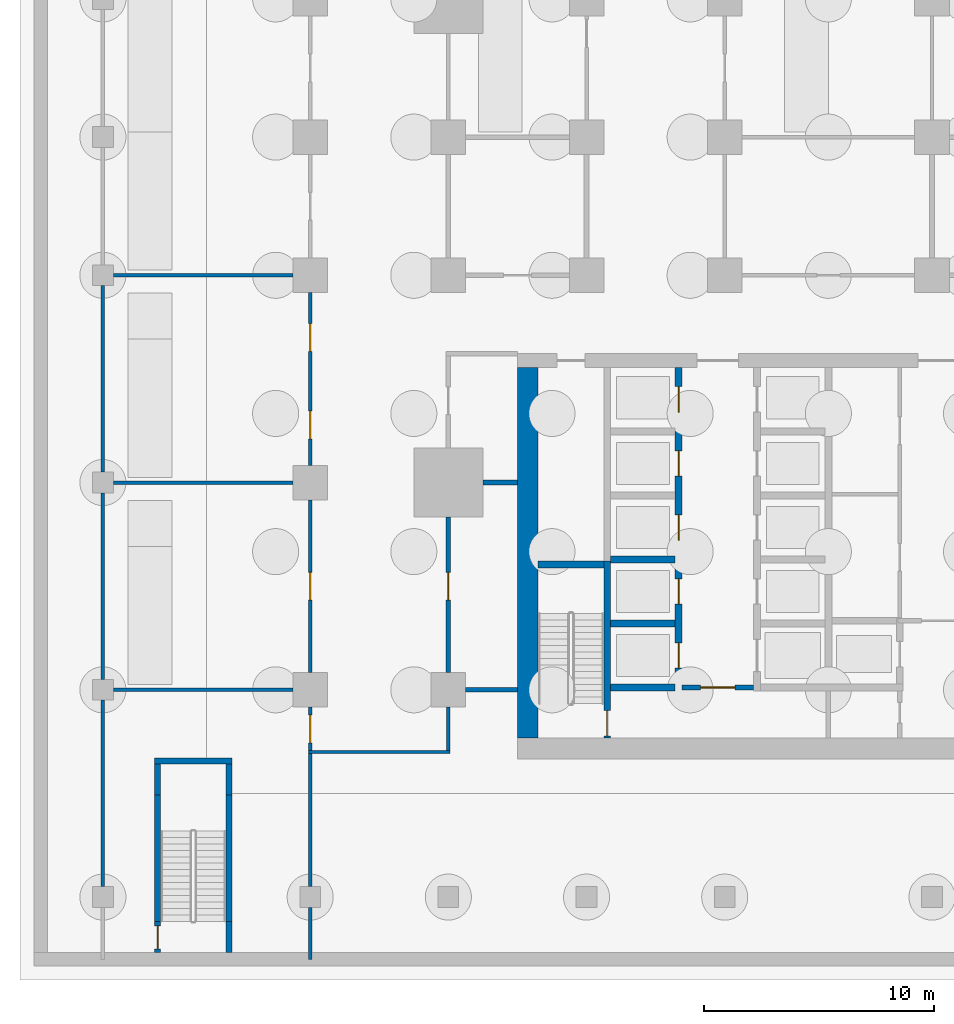
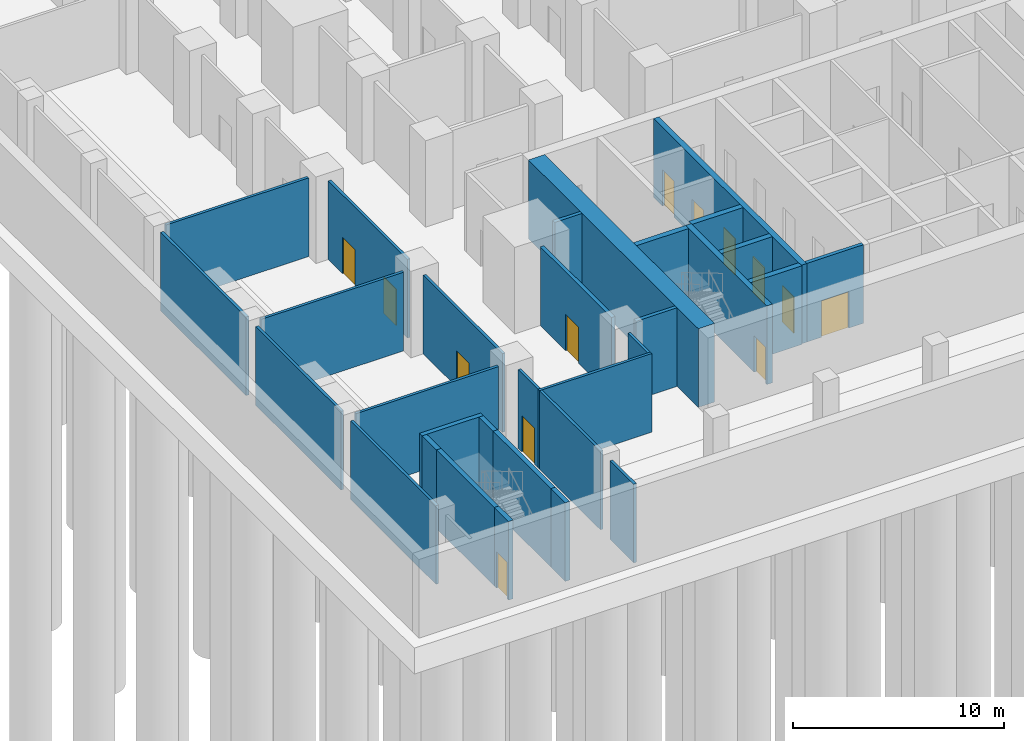
# One storey, part 3 of 12: 31 walls, 13 doors, 13 openings.
"""IFC4 building model written with IfcOpenShell, lengths in metres."""

import ifcopenshell
import ifcopenshell.guid

model = None  # the IFC model being written
_history = None  # IfcOwnerHistory: only IFC2X3 demands one
_inside = {}  # id of a spatial element -> (the spatial element, [elements in it])
_under = {}  # id of a project, library or spatial element -> (it, [spatial elements below it])
_declared = {}  # id of a project -> (the project, [libraries it declares])
_typed = {}  # id of a type object -> (the type object, [elements of that type])
_made_of = {}  # id of a material, layer set ... -> (it, [elements and type objects made of it])


def new_model(schema):
    """Start an empty IFC model of exactly this schema.

    Asked for "IFC4X3", IfcOpenShell would pick the latest addendum, in which some entities
    have other attributes; the version numbers below select the first issue.
    IFC2X3 requires an IfcOwnerHistory on every rooted entity: one is made here for all.
    """
    global model, _history
    if schema == "IFC4X3":
        model = ifcopenshell.file(schema_version=(4, 3, 0, 0))
    else:
        model = ifcopenshell.file(schema=schema)
    _inside.clear()
    _under.clear()
    _declared.clear()
    _typed.clear()
    _made_of.clear()
    _history = None
    if model.schema == "IFC2X3":
        org = make("IfcOrganization", Name="unknown")
        user = make(
            "IfcPersonAndOrganization",
            ThePerson=make("IfcPerson", FamilyName="unknown"),
            TheOrganization=org,
        )
        app = make(
            "IfcApplication",
            ApplicationDeveloper=org,
            Version="unknown",
            ApplicationFullName="unknown",
            ApplicationIdentifier="unknown",
        )
        _history = make(
            "IfcOwnerHistory",
            OwningUser=user,
            OwningApplication=app,
            ChangeAction="ADDED",
            CreationDate=0,
        )
    return model


def make(cls, **values):
    """One entity of the class cls with the attributes given. An attribute that is None is left unset."""
    return model.create_entity(
        cls, **{name: value for name, value in values.items() if value is not None}
    )


def rooted(cls, **values):
    """An entity with a GlobalId (a new one), such as an element, a storey or a relation."""
    return make(cls, GlobalId=ifcopenshell.guid.new(), OwnerHistory=_history, **values)


def si_unit(unit_type, name, prefix=None):
    """IfcSIUnit, for example si_unit("LENGTHUNIT", "METRE", prefix="MILLI")."""
    return make("IfcSIUnit", UnitType=unit_type, Prefix=prefix, Name=name)


def assignment(units):
    """IfcUnitAssignment: the units of a project."""
    return None if units is None else make("IfcUnitAssignment", Units=units)


def point(xyz):
    """IfcCartesianPoint."""
    return None if xyz is None else make("IfcCartesianPoint", Coordinates=xyz)


def direction(xyz):
    """IfcDirection."""
    return None if xyz is None else make("IfcDirection", DirectionRatios=xyz)


def frame(location, z_axis=None, x_axis=None):
    """IfcAxis2Placement3D, a coordinate frame: its origin and axes. An axis left out is left unset."""
    return make(
        "IfcAxis2Placement3D",
        Location=point(location),
        Axis=direction(z_axis),
        RefDirection=direction(x_axis),
    )


def frame_2d(location, x_axis=None):
    """IfcAxis2Placement2D, a coordinate frame in the plane: its origin and x axis."""
    return make(
        "IfcAxis2Placement2D", Location=point(location), RefDirection=direction(x_axis)
    )


def origin():
    """The frame at (0, 0, 0) with its axes left unset."""
    return frame((0.0, 0.0, 0.0))


def place(relative_to, where):
    """IfcLocalPlacement: puts the frame where relative to a parent placement (None: the world)."""
    return make(
        "IfcLocalPlacement", PlacementRelTo=relative_to, RelativePlacement=where
    )


def context(
    kind, dimensions, precision=None, world=None, true_north=None, identifier=None
):
    """IfcGeometricRepresentationContext, for example the 3D "Model" context."""
    return make(
        "IfcGeometricRepresentationContext",
        ContextIdentifier=identifier,
        ContextType=kind,
        CoordinateSpaceDimension=dimensions,
        Precision=precision,
        WorldCoordinateSystem=world,
        TrueNorth=true_north,
    )


def subcontext(parent, identifier, kind, view, scale=None):
    """IfcGeometricRepresentationSubContext, for example "Body" below "Model"."""
    return make(
        "IfcGeometricRepresentationSubContext",
        ContextIdentifier=identifier,
        ContextType=kind,
        ParentContext=parent,
        TargetScale=scale,
        TargetView=view,
    )


def project(units=None, contexts=None):
    """IfcProject with its units and contexts."""
    return rooted(
        "IfcProject",
        Name="project",
        RepresentationContexts=contexts,
        UnitsInContext=assignment(units),
    )


def spatial(cls, under=None, at=None, **own):
    """A site, building, storey or space (cls), placed at a placement, below another one or the project."""
    s = rooted(cls, ObjectPlacement=at, **own)
    if under is not None:
        _under.setdefault(under.id(), (under, []))[1].append(s)
    return s


def profile(cls, at=None, kind="AREA", **sizes):
    """A parametric profile (cls). Its sizes go by their IFC names, for example OverallWidth=200.0."""
    return make(cls, ProfileType=kind, Position=at, **sizes)


def rectangle(**sizes):
    """IfcRectangleProfileDef."""
    return profile("IfcRectangleProfileDef", **sizes)


def extrude(swept, where, along, depth):
    """IfcExtrudedAreaSolid: the profile swept, set in the frame where, extruded along a direction by depth."""
    return make(
        "IfcExtrudedAreaSolid",
        SweptArea=swept,
        Position=where,
        ExtrudedDirection=direction(along),
        Depth=depth,
    )


def shape(context_of_items, identifier, shape_type, items):
    """IfcShapeRepresentation: the items that make up one representation, for example the "Body"."""
    return make(
        "IfcShapeRepresentation",
        ContextOfItems=context_of_items,
        RepresentationIdentifier=identifier,
        RepresentationType=shape_type,
        Items=items,
    )


def material(Name=None, Category=None):
    """IfcMaterial."""
    return make("IfcMaterial", Name=Name, Category=Category)


def layer(
    of_material, thickness, ventilated=None, Name=None, Category=None, Priority=None
):
    """IfcMaterialLayer: one layer of a wall or slab, of a material (None: an air gap)."""
    return make(
        "IfcMaterialLayer",
        Material=of_material,
        LayerThickness=thickness,
        IsVentilated=ventilated,
        Name=Name,
        Category=Category,
        Priority=Priority,
    )


def layer_set(layers, Name=None):
    """IfcMaterialLayerSet."""
    return make("IfcMaterialLayerSet", MaterialLayers=layers, LayerSetName=Name)


def made_of(thing, what):
    """Note that an element or type object is made of a material, layer set ...; save() writes the relation."""
    if what is not None:
        _made_of.setdefault(what.id(), (what, []))[1].append(thing)
    return thing


def type_object(cls, material=None, **own):
    """A type object (cls), such as IfcWallType, which elements share."""
    return made_of(rooted(cls, **own), material)


def element(
    cls,
    number,
    at=None,
    inside=None,
    cuts=None,
    type_object=None,
    material=None,
    context=None,
    identifier="Body",
    shape_type=None,
    held_by="IfcProductDefinitionShape",
    body=None,
    shapes=None,
    **own,
):
    """One element of the class cls, such as IfcWall. Its Tag is "e" and its number.

    at: its placement. inside: the storey or other place that contains it. cuts: it is an
    opening in that element (IfcRelVoidsElement). A single representation is given by context,
    identifier, shape_type and body (its items); several are given by shapes. held_by: the class
    of the entity that holds the representations. save() writes the other relations.
    """
    e = rooted(cls, Tag="e%d" % number, ObjectPlacement=at, **own)
    if body is not None:
        shapes = [shape(context, identifier, shape_type, body)]
    if shapes is not None:
        e.Representation = make(held_by, Representations=shapes)
    if inside is not None:
        _inside.setdefault(inside.id(), (inside, []))[1].append(e)
    if cuts is not None:
        rooted(
            "IfcRelVoidsElement", RelatingBuildingElement=cuts, RelatedOpeningElement=e
        )
    if type_object is not None:
        _typed.setdefault(type_object.id(), (type_object, []))[1].append(e)
    return made_of(e, material)


def fill(opening, filler):
    """IfcRelFillsElement: the door or window that sits in an opening."""
    return rooted(
        "IfcRelFillsElement",
        RelatingOpeningElement=opening,
        RelatedBuildingElement=filler,
    )


def aggregate(whole, parts):
    """IfcRelAggregates: a whole, such as a stair, and the parts it consists of."""
    return rooted("IfcRelAggregates", RelatingObject=whole, RelatedObjects=parts)


def save(model, path):
    """Write the relations noted so far, then the file.

    IfcRelAggregates (storeys below a building ...), IfcRelContainedInSpatialStructure (elements
    in a storey), IfcRelDefinesByType, IfcRelAssociatesMaterial and IfcRelDeclares: one each for
    every whole, place, type object, material and project.
    """
    for whole, parts in _under.values():
        aggregate(whole, parts)
    for where, things in _inside.values():
        rooted(
            "IfcRelContainedInSpatialStructure",
            RelatedElements=things,
            RelatingStructure=where,
        )
    for kind, things in _typed.values():
        rooted("IfcRelDefinesByType", RelatedObjects=things, RelatingType=kind)
    for what, things in _made_of.values():
        rooted("IfcRelAssociatesMaterial", RelatedObjects=things, RelatingMaterial=what)
    for by, libraries in _declared.values():
        rooted("IfcRelDeclares", RelatingContext=by, RelatedDefinitions=libraries)
    model.write(path)


model = new_model("IFC4")

# Units and contexts
model_context = context("Model", 3, precision=1e-05, world=origin(), true_north=direction((0.0, 1.0)))
body_context = subcontext(model_context, "Body", "Model", "MODEL_VIEW")
ifc_project = project(units=[si_unit("LENGTHUNIT", "METRE"), si_unit("AREAUNIT", "SQUARE_METRE"), si_unit("VOLUMEUNIT", "CUBIC_METRE"), si_unit("PLANEANGLEUNIT", "RADIAN"), si_unit("MASSUNIT", "GRAM", prefix="KILO")], contexts=[model_context])

# Site, building, storey
site_placement = place(None, origin())
site = spatial("IfcSite", under=ifc_project, at=site_placement, CompositionType="ELEMENT")
building_placement = place(site_placement, origin())
building = spatial("IfcBuilding", under=site, at=building_placement, Name="Finial Court Residences", CompositionType="ELEMENT")
storey_placement = place(building_placement, frame((0.0, 0.0, -5.0)))
storey = spatial("IfcBuildingStorey", under=building, at=storey_placement, Name="B1", CompositionType="ELEMENT", Elevation=-5.0)

# Walls
ifc_material_1 = material(Name="Concrete C25/30", Category="concrete")
ifc_layer_1 = layer(ifc_material_1, 0.14990234375)
ifc_layer_set_1 = layer_set([ifc_layer_1], Name="Basement partition 150 Concrete C25/30")
wall_type_1 = type_object("IfcWallType", Name="Basement partition 150 Concrete C25/30", PredefinedType="PARTITIONING", material=ifc_layer_set_1)
wall_1_placement = place(storey_placement, frame((-22.574951171875, -25.199951171875, 0.0), z_axis=(0.0, 0.0, 1.0), x_axis=(1.0, 0.0, 0.0)))
element("IfcWall", 1, at=wall_1_placement, inside=storey, type_object=wall_type_1, Name="Basement partition B1-V001", PredefinedType="PARTITIONING", context=body_context, shape_type="SweptSolid", body=[
    extrude(rectangle(XDim=6.14990234375, YDim=0.14990234375, at=frame_2d((3.074951171875, 0.0))), origin(), (0.0, 0.0, 1.0), 4.550048828125),
])
for number, where, z_axis, x_axis, name in (
    (2, (-31.050048828125, -22.5, 0.0), (0.0, 0.0, 1.0), (1.0, 0.0, 0.0), "Basement partition B1-V002"),
    (3, (-31.050048828125, -13.5, 0.0), (0.0, 0.0, 1.0), (1.0, 0.0, 0.0), "Basement partition B1-V006"),
    (4, (-31.050048828125, -4.5, 0.0), (0.0, 0.0, 1.0), (1.0, 0.0, 0.0), "Basement partition B1-V011"),
):
    element("IfcWall", number, at=place(storey_placement, frame(where, z_axis=z_axis, x_axis=x_axis)), inside=storey, type_object=wall_type_1, Name=name, PredefinedType="PARTITIONING", context=body_context, shape_type="SweptSolid", body=[
        extrude(rectangle(XDim=7.800048828125, YDim=0.14990234375, at=frame_2d((3.89990234375, 0.0))), origin(), (0.0, 0.0, 1.0), 4.550048828125),
    ])
for number, where, z_axis, x_axis, name in (
    (5, (-31.5, -31.050048828125, 0.0), (0.0, 0.0, 1.0), (0.0, 1.0, 0.0), "Basement partition B1-V034"),
    (6, (-31.5, -22.050048828125, 0.0), (0.0, 0.0, 1.0), (0.0, 1.0, 0.0), "Basement partition B1-V035"),
    (7, (-31.5, -13.050048828125, 0.0), (0.0, 0.0, 1.0), (0.0, 1.0, 0.0), "Basement partition B1-V036"),
):
    element("IfcWall", number, at=place(storey_placement, frame(where, z_axis=z_axis, x_axis=x_axis)), inside=storey, type_object=wall_type_1, Name=name, PredefinedType="PARTITIONING", context=body_context, shape_type="SweptSolid", body=[
        extrude(rectangle(XDim=8.10009765625, YDim=0.14990234375, at=frame_2d((4.050048828125, 0.0))), origin(), (0.0, 0.0, 1.0), 4.550048828125),
    ])
wall_2_placement = place(storey_placement, frame((-22.5, -34.199951171875, 0.0), z_axis=(0.0, 0.0, 1.0), x_axis=(0.0, 1.0, 0.0)))
element("IfcWall", 8, at=wall_2_placement, inside=storey, type_object=wall_type_1, Name="Basement partition B1-V043", PredefinedType="PARTITIONING", context=body_context, shape_type="SweptSolid", body=[
    extrude(rectangle(XDim=2.25, YDim=0.14990234375, at=frame_2d((1.125, 0.0))), origin(), (0.0, 0.0, 1.0), 4.550048828125),
])
wall_3_placement = place(storey_placement, frame((-22.5, -31.050048828125, 0.0), z_axis=(0.0, 0.0, 1.0), x_axis=(0.0, 1.0, 0.0)))
element("IfcWall", 9, at=wall_3_placement, inside=storey, type_object=wall_type_1, Name="Basement partition B1-V044", PredefinedType="PARTITIONING", context=body_context, shape_type="SweptSolid", body=[
    extrude(rectangle(XDim=5.775146484375, YDim=0.14990234375, at=frame_2d((2.8876953125, 0.0))), origin(), (0.0, 0.0, 1.0), 4.550048828125),
])

# Wall, opening, door
wall_4_placement = place(storey_placement, frame((-22.5, -23.25, 0.0), z_axis=(0.0, 0.0, 1.0), x_axis=(0.0, -1.0, 0.0)))
wall_4 = element("IfcWall", 10, at=wall_4_placement, inside=storey, type_object=wall_type_1, Name="Basement partition B1-V045", PredefinedType="PARTITIONING", context=body_context, shape_type="SweptSolid", body=[
    extrude(rectangle(XDim=1.875, YDim=0.14990234375, at=frame_2d((0.9375, 0.0))), origin(), (0.0, 0.0, 1.0), 4.550048828125),
])
opening_1_placement = place(wall_4_placement, frame((0.35009765625, 0.0, 0.0)))
opening_1 = element("IfcOpeningElement", 11, at=opening_1_placement, cuts=wall_4, Name="Opening B1-V24", PredefinedType="OPENING", context=body_context, shape_type="SweptSolid", body=[
    extrude(rectangle(XDim=1.199951171875, YDim=2.10009765625, at=frame_2d((0.60009765625, 1.050048828125))), frame((0.0, 0.0849609375, 0.0), z_axis=(0.0, -1.0, 0.0), x_axis=(1.0, 0.0, 0.0)), (0.0, 0.0, 1.0), 0.169921875),
])
ifc_material_2 = material(Name="Steel fire door", Category="steel")
door_type_1 = type_object("IfcDoorType", Name="Basement room door 1200 x 2100 EI 60", OperationType="NOTDEFINED", PredefinedType="DOOR", material=ifc_material_2)
door_1_placement = place(opening_1_placement, origin())
door_1 = element("IfcDoor", 12, at=door_1_placement, inside=storey, type_object=door_type_1, Name="Basement room door B1-V24", OperationType="SINGLE_SWING_RIGHT", OverallHeight=2.10009765625, OverallWidth=1.199951171875, PredefinedType="DOOR", context=body_context, shape_type="SweptSolid", body=[
    extrude(rectangle(XDim=1.199951171875, YDim=2.10009765625, at=frame_2d((0.60009765625, 1.050048828125))), frame((0.0, 0.02490234375, 0.0), z_axis=(0.0, -1.0, 0.0), x_axis=(1.0, 0.0, 0.0)), (0.0, 0.0, 1.0), 0.050048828125),
])
fill(opening_1, door_1)

wall_5_placement = place(storey_placement, frame((-22.5, -14.25, 0.0), z_axis=(0.0, 0.0, 1.0), x_axis=(0.0, -1.0, 0.0)))
wall_5 = element("IfcWall", 13, at=wall_5_placement, inside=storey, type_object=wall_type_1, Name="Basement partition B1-V046", PredefinedType="PARTITIONING", context=body_context, shape_type="SweptSolid", body=[
    extrude(rectangle(XDim=7.5, YDim=0.14990234375, at=frame_2d((3.75, 0.0))), origin(), (0.0, 0.0, 1.0), 4.550048828125),
])
opening_2_placement = place(wall_5_placement, frame((3.14990234375, 0.0, 0.0)))
opening_2 = element("IfcOpeningElement", 14, at=opening_2_placement, cuts=wall_5, Name="Opening B1-V01", PredefinedType="OPENING", context=body_context, shape_type="SweptSolid", body=[
    extrude(rectangle(XDim=1.199951171875, YDim=2.10009765625, at=frame_2d((0.60009765625, 1.050048828125))), frame((0.0, 0.0849609375, 0.0), z_axis=(0.0, -1.0, 0.0), x_axis=(1.0, 0.0, 0.0)), (0.0, 0.0, 1.0), 0.169921875),
])
door_type_2 = type_object("IfcDoorType", Name="Bicycle store door 1200 x 2100 EI 60", OperationType="NOTDEFINED", PredefinedType="DOOR", material=ifc_material_2)
door_2_placement = place(opening_2_placement, origin())
door_2 = element("IfcDoor", 15, at=door_2_placement, inside=storey, type_object=door_type_2, Name="Bicycle store door B1-V01", OperationType="SINGLE_SWING_RIGHT", OverallHeight=2.10009765625, OverallWidth=1.199951171875, PredefinedType="DOOR", context=body_context, shape_type="SweptSolid", body=[
    extrude(rectangle(XDim=1.199951171875, YDim=2.10009765625, at=frame_2d((0.60009765625, 1.050048828125))), frame((0.0, 0.02490234375, 0.0), z_axis=(0.0, -1.0, 0.0), x_axis=(1.0, 0.0, 0.0)), (0.0, 0.0, 1.0), 0.050048828125),
])
fill(opening_2, door_2)

# Wall, openings, doors
wall_6_placement = place(storey_placement, frame((-22.5, -5.25, 0.0), z_axis=(0.0, 0.0, 1.0), x_axis=(0.0, -1.0, 0.0)))
wall_6 = element("IfcWall", 16, at=wall_6_placement, inside=storey, type_object=wall_type_1, Name="Basement partition B1-V047", PredefinedType="PARTITIONING", context=body_context, shape_type="SweptSolid", body=[
    extrude(rectangle(XDim=7.5, YDim=0.14990234375, at=frame_2d((3.75, 0.0))), origin(), (0.0, 0.0, 1.0), 4.550048828125),
])
opening_3_placement = place(wall_6_placement, frame((5.14990234375, 0.0, 0.0)))
opening_3 = element("IfcOpeningElement", 17, at=opening_3_placement, cuts=wall_6, Name="Opening B1-V02", PredefinedType="OPENING", context=body_context, shape_type="SweptSolid", body=[
    extrude(rectangle(XDim=1.199951171875, YDim=2.10009765625, at=frame_2d((0.60009765625, 1.050048828125))), frame((0.0, 0.0849609375, 0.0), z_axis=(0.0, -1.0, 0.0), x_axis=(1.0, 0.0, 0.0)), (0.0, 0.0, 1.0), 0.169921875),
])
opening_4_placement = place(wall_6_placement, frame((1.35009765625, 0.0, 0.0)))
opening_4 = element("IfcOpeningElement", 18, at=opening_4_placement, cuts=wall_6, Name="Opening B1-V03", PredefinedType="OPENING", context=body_context, shape_type="SweptSolid", body=[
    extrude(rectangle(XDim=1.199951171875, YDim=2.10009765625, at=frame_2d((0.60009765625, 1.050048828125))), frame((0.0, 0.0849609375, 0.0), z_axis=(0.0, -1.0, 0.0), x_axis=(1.0, 0.0, 0.0)), (0.0, 0.0, 1.0), 0.169921875),
])
door_3_placement = place(opening_3_placement, origin())
door_3 = element("IfcDoor", 19, at=door_3_placement, inside=storey, type_object=door_type_2, Name="Bicycle store door B1-V02", OperationType="SINGLE_SWING_RIGHT", OverallHeight=2.10009765625, OverallWidth=1.199951171875, PredefinedType="DOOR", context=body_context, shape_type="SweptSolid", body=[
    extrude(rectangle(XDim=1.199951171875, YDim=2.10009765625, at=frame_2d((0.60009765625, 1.050048828125))), frame((0.0, 0.02490234375, 0.0), z_axis=(0.0, -1.0, 0.0), x_axis=(1.0, 0.0, 0.0)), (0.0, 0.0, 1.0), 0.050048828125),
])
fill(opening_3, door_3)
door_4_placement = place(opening_4_placement, origin())
door_4 = element("IfcDoor", 20, at=door_4_placement, inside=storey, type_object=door_type_2, Name="Bicycle store door B1-V03", OperationType="SINGLE_SWING_RIGHT", OverallHeight=2.10009765625, OverallWidth=1.199951171875, PredefinedType="DOOR", context=body_context, shape_type="SweptSolid", body=[
    extrude(rectangle(XDim=1.199951171875, YDim=2.10009765625, at=frame_2d((0.60009765625, 1.050048828125))), frame((0.0, 0.02490234375, 0.0), z_axis=(0.0, -1.0, 0.0), x_axis=(1.0, 0.0, 0.0)), (0.0, 0.0, 1.0), 0.050048828125),
])
fill(opening_4, door_4)

# Walls
wall_7_placement = place(storey_placement, frame((-16.5, -25.125, 0.0), z_axis=(0.0, 0.0, 1.0), x_axis=(0.0, 1.0, 0.0)))
element("IfcWall", 21, at=wall_7_placement, inside=storey, type_object=wall_type_1, Name="Basement partition B1-V054", PredefinedType="PARTITIONING", context=body_context, shape_type="SweptSolid", body=[
    extrude(rectangle(XDim=1.875, YDim=0.14990234375, at=frame_2d((0.9375, 0.0))), origin(), (0.0, 0.0, 1.0), 4.550048828125),
])
ifc_material_3 = material(Name="Concrete C80/95", Category="concrete")
ifc_layer_2 = layer(ifc_material_3, 0.89990234375)
ifc_layer_set_2 = layer_set([ifc_layer_2], Name="Core outer wall 900 Concrete C80/95")
wall_type_2 = type_object("IfcWallType", Name="Core outer wall 900 Concrete C80/95", PredefinedType="SHEAR", material=ifc_layer_set_2)
wall_8_placement = place(storey_placement, frame((-13.050048828125, -24.60009765625, 0.0), z_axis=(0.0, 0.0, 1.0), x_axis=(0.0, 1.0, 0.0)))
element("IfcWall", 22, at=wall_8_placement, inside=storey, type_object=wall_type_2, Name="Core outer wall B1-03", PredefinedType="SHEAR", context=body_context, shape_type="SweptSolid", body=[
    extrude(rectangle(XDim=16.10009765625, YDim=0.89990234375, at=frame_2d((8.050048828125, 0.0))), origin(), (0.0, 0.0, 1.0), 4.550048828125),
])
ifc_layer_3 = layer(ifc_material_3, 0.300048828125)
ifc_layer_set_3 = layer_set([ifc_layer_3], Name="Lift shaft and stair wall 300 Concrete C80/95")
wall_type_3 = type_object("IfcWallType", Name="Lift shaft and stair wall 300 Concrete C80/95", PredefinedType="SHEAR", material=ifc_layer_set_3)
for number, where, z_axis, x_axis, name in (
    (23, (-9.449951171875, -22.39990234375, 0.0), (0.0, 0.0, 1.0), (1.0, 0.0, 0.0), "Core wall B1-01"),
    (24, (-9.449951171875, -19.6201171875, 0.0), (0.0, 0.0, 1.0), (1.0, 0.0, 0.0), "Core wall B1-05"),
):
    element("IfcWall", number, at=place(storey_placement, frame(where, z_axis=z_axis, x_axis=x_axis)), inside=storey, type_object=wall_type_3, Name=name, PredefinedType="SHEAR", context=body_context, shape_type="SweptSolid", body=[
        extrude(rectangle(XDim=2.800048828125, YDim=0.300048828125, at=frame_2d((1.39990234375, 0.0))), origin(), (0.0, 0.0, 1.0), 4.550048828125),
    ])
wall_9_placement = place(storey_placement, frame((-12.60009765625, -17.050048828125, 0.0), z_axis=(0.0, 0.0, 1.0), x_axis=(1.0, 0.0, 0.0)))
element("IfcWall", 25, at=wall_9_placement, inside=storey, type_object=wall_type_3, Name="Core wall B1-10", PredefinedType="SHEAR", context=body_context, shape_type="SweptSolid", body=[
    extrude(rectangle(XDim=2.85009765625, YDim=0.300048828125, at=frame_2d((1.425048828125, 0.0))), origin(), (0.0, 0.0, 1.0), 4.550048828125),
])
wall_10_placement = place(storey_placement, frame((-9.449951171875, -16.840087890625, 0.0), z_axis=(0.0, 0.0, 1.0), x_axis=(1.0, 0.0, 0.0)))
element("IfcWall", 26, at=wall_10_placement, inside=storey, type_object=wall_type_3, Name="Core wall B1-12", PredefinedType="SHEAR", context=body_context, shape_type="SweptSolid", body=[
    extrude(rectangle(XDim=2.800048828125, YDim=0.300048828125, at=frame_2d((1.39990234375, 0.0))), origin(), (0.0, 0.0, 1.0), 4.550048828125),
])

# Wall, opening, door
wall_11_placement = place(storey_placement, frame((-9.60009765625, -24.60009765625, 0.0), z_axis=(0.0, 0.0, 1.0), x_axis=(0.0, 1.0, 0.0)))
wall_11 = element("IfcWall", 27, at=wall_11_placement, inside=storey, type_object=wall_type_3, Name="Core wall B1-21", PredefinedType="SHEAR", context=body_context, shape_type="SweptSolid", body=[
    extrude(rectangle(XDim=7.7001953125, YDim=0.300048828125, at=frame_2d((3.85009765625, 0.0))), origin(), (0.0, 0.0, 1.0), 4.550048828125),
])
opening_5_placement = place(wall_11_placement, frame((0.10009765625, 0.0, 0.0)))
opening_5 = element("IfcOpeningElement", 28, at=opening_5_placement, cuts=wall_11, Name="Opening B1-C15", PredefinedType="OPENING", context=body_context, shape_type="SweptSolid", body=[
    extrude(rectangle(XDim=1.10009765625, YDim=2.10009765625, at=frame_2d((0.550048828125, 1.050048828125))), frame((0.0, 0.159912109375, 0.0), z_axis=(0.0, -1.0, 0.0), x_axis=(1.0, 0.0, 0.0)), (0.0, 0.0, 1.0), 0.320068359375),
])
door_type_3 = type_object("IfcDoorType", Name="Stair door 1100 x 2100 EI 90", OperationType="NOTDEFINED", PredefinedType="DOOR", material=ifc_material_2)
door_5_placement = place(opening_5_placement, origin())
door_5 = element("IfcDoor", 29, at=door_5_placement, inside=storey, type_object=door_type_3, Name="Stair door B1-C15", OperationType="SINGLE_SWING_LEFT", OverallHeight=2.10009765625, OverallWidth=1.10009765625, PredefinedType="DOOR", context=body_context, shape_type="SweptSolid", body=[
    extrude(rectangle(XDim=1.10009765625, YDim=2.10009765625, at=frame_2d((0.550048828125, 1.050048828125))), frame((0.0, 0.02490234375, 0.0), z_axis=(0.0, -1.0, 0.0), x_axis=(1.0, 0.0, 0.0)), (0.0, 0.0, 1.0), 0.050048828125),
])
fill(opening_5, door_5)

# Wall, openings, doors
wall_12_placement = place(storey_placement, frame((-6.5, -22.5, 0.0), z_axis=(0.0, 0.0, 1.0), x_axis=(0.0, 1.0, 0.0)))
wall_12 = element("IfcWall", 30, at=wall_12_placement, inside=storey, type_object=wall_type_3, Name="Core wall B1-23", PredefinedType="SHEAR", context=body_context, shape_type="SweptSolid", body=[
    extrude(rectangle(XDim=14.0, YDim=0.300048828125, at=frame_2d((7.0, 0.0))), origin(), (0.0, 0.0, 1.0), 4.550048828125),
])
opening_6_placement = place(wall_12_placement, frame((0.93994140625, 0.0, 0.0)))
opening_6 = element("IfcOpeningElement", 31, at=opening_6_placement, cuts=wall_12, Name="Opening B1-LD03", PredefinedType="OPENING", context=body_context, shape_type="SweptSolid", body=[
    extrude(rectangle(XDim=1.10009765625, YDim=2.10009765625, at=frame_2d((0.550048828125, 1.050048828125))), frame((0.0, 0.159912109375, 0.0), z_axis=(0.0, -1.0, 0.0), x_axis=(1.0, 0.0, 0.0)), (0.0, 0.0, 1.0), 0.320068359375),
])
opening_7_placement = place(wall_12_placement, frame((3.719970703125, 0.0, 0.0)))
opening_7 = element("IfcOpeningElement", 32, at=opening_7_placement, cuts=wall_12, Name="Opening B1-LD04", PredefinedType="OPENING", context=body_context, shape_type="SweptSolid", body=[
    extrude(rectangle(XDim=1.10009765625, YDim=2.10009765625, at=frame_2d((0.550048828125, 1.050048828125))), frame((0.0, 0.159912109375, 0.0), z_axis=(0.0, -1.0, 0.0), x_axis=(1.0, 0.0, 0.0)), (0.0, 0.0, 1.0), 0.320068359375),
])
opening_8_placement = place(wall_12_placement, frame((6.5, 0.0, 0.0)))
opening_8 = element("IfcOpeningElement", 33, at=opening_8_placement, cuts=wall_12, Name="Opening B1-LD05", PredefinedType="OPENING", context=body_context, shape_type="SweptSolid", body=[
    extrude(rectangle(XDim=1.10009765625, YDim=2.10009765625, at=frame_2d((0.550048828125, 1.050048828125))), frame((0.0, 0.159912109375, 0.0), z_axis=(0.0, -1.0, 0.0), x_axis=(1.0, 0.0, 0.0)), (0.0, 0.0, 1.0), 0.320068359375),
])
opening_9_placement = place(wall_12_placement, frame((9.280029296875, 0.0, 0.0)))
opening_9 = element("IfcOpeningElement", 34, at=opening_9_placement, cuts=wall_12, Name="Opening B1-LD06", PredefinedType="OPENING", context=body_context, shape_type="SweptSolid", body=[
    extrude(rectangle(XDim=1.10009765625, YDim=2.10009765625, at=frame_2d((0.550048828125, 1.050048828125))), frame((0.0, 0.159912109375, 0.0), z_axis=(0.0, -1.0, 0.0), x_axis=(1.0, 0.0, 0.0)), (0.0, 0.0, 1.0), 0.320068359375),
])
opening_10_placement = place(wall_12_placement, frame((12.06005859375, 0.0, 0.0)))
opening_10 = element("IfcOpeningElement", 35, at=opening_10_placement, cuts=wall_12, Name="Opening B1-LD07", PredefinedType="OPENING", context=body_context, shape_type="SweptSolid", body=[
    extrude(rectangle(XDim=1.10009765625, YDim=2.10009765625, at=frame_2d((0.550048828125, 1.050048828125))), frame((0.0, 0.159912109375, 0.0), z_axis=(0.0, -1.0, 0.0), x_axis=(1.0, 0.0, 0.0)), (0.0, 0.0, 1.0), 0.320068359375),
])
ifc_material_4 = material(Name="Stainless steel lift door", Category="steel")
door_type_4 = type_object("IfcDoorType", Name="Lift landing door 1100 x 2100 EI 90", OperationType="DOUBLE_DOOR_SLIDING", PredefinedType="DOOR", material=ifc_material_4)
door_6_placement = place(opening_6_placement, origin())
door_6 = element("IfcDoor", 36, at=door_6_placement, inside=storey, type_object=door_type_4, Name="Lift landing door LR1 B1", OperationType="DOUBLE_DOOR_SLIDING", OverallHeight=2.10009765625, OverallWidth=1.10009765625, PredefinedType="DOOR", context=body_context, shape_type="SweptSolid", body=[
    extrude(rectangle(XDim=1.10009765625, YDim=2.10009765625, at=frame_2d((0.550048828125, 1.050048828125))), frame((0.0, 0.02490234375, 0.0), z_axis=(0.0, -1.0, 0.0), x_axis=(1.0, 0.0, 0.0)), (0.0, 0.0, 1.0), 0.050048828125),
])
fill(opening_6, door_6)
door_7_placement = place(opening_7_placement, origin())
door_7 = element("IfcDoor", 37, at=door_7_placement, inside=storey, type_object=door_type_4, Name="Lift landing door LR2 B1", OperationType="DOUBLE_DOOR_SLIDING", OverallHeight=2.10009765625, OverallWidth=1.10009765625, PredefinedType="DOOR", context=body_context, shape_type="SweptSolid", body=[
    extrude(rectangle(XDim=1.10009765625, YDim=2.10009765625, at=frame_2d((0.550048828125, 1.050048828125))), frame((0.0, 0.02490234375, 0.0), z_axis=(0.0, -1.0, 0.0), x_axis=(1.0, 0.0, 0.0)), (0.0, 0.0, 1.0), 0.050048828125),
])
fill(opening_7, door_7)
door_8_placement = place(opening_8_placement, origin())
door_8 = element("IfcDoor", 38, at=door_8_placement, inside=storey, type_object=door_type_4, Name="Lift landing door LR3 B1", OperationType="DOUBLE_DOOR_SLIDING", OverallHeight=2.10009765625, OverallWidth=1.10009765625, PredefinedType="DOOR", context=body_context, shape_type="SweptSolid", body=[
    extrude(rectangle(XDim=1.10009765625, YDim=2.10009765625, at=frame_2d((0.550048828125, 1.050048828125))), frame((0.0, 0.02490234375, 0.0), z_axis=(0.0, -1.0, 0.0), x_axis=(1.0, 0.0, 0.0)), (0.0, 0.0, 1.0), 0.050048828125),
])
fill(opening_8, door_8)
door_9_placement = place(opening_9_placement, origin())
door_9 = element("IfcDoor", 39, at=door_9_placement, inside=storey, type_object=door_type_4, Name="Lift landing door LR4 B1", OperationType="DOUBLE_DOOR_SLIDING", OverallHeight=2.10009765625, OverallWidth=1.10009765625, PredefinedType="DOOR", context=body_context, shape_type="SweptSolid", body=[
    extrude(rectangle(XDim=1.10009765625, YDim=2.10009765625, at=frame_2d((0.550048828125, 1.050048828125))), frame((0.0, 0.02490234375, 0.0), z_axis=(0.0, -1.0, 0.0), x_axis=(1.0, 0.0, 0.0)), (0.0, 0.0, 1.0), 0.050048828125),
])
fill(opening_9, door_9)
door_10_placement = place(opening_10_placement, origin())
door_10 = element("IfcDoor", 40, at=door_10_placement, inside=storey, type_object=door_type_4, Name="Lift landing door LR5 B1", OperationType="DOUBLE_DOOR_SLIDING", OverallHeight=2.10009765625, OverallWidth=1.10009765625, PredefinedType="DOOR", context=body_context, shape_type="SweptSolid", body=[
    extrude(rectangle(XDim=1.10009765625, YDim=2.10009765625, at=frame_2d((0.550048828125, 1.050048828125))), frame((0.0, 0.02490234375, 0.0), z_axis=(0.0, -1.0, 0.0), x_axis=(1.0, 0.0, 0.0)), (0.0, 0.0, 1.0), 0.050048828125),
])
fill(opening_10, door_10)

# Walls
ifc_material_5 = material(Name="Concrete C32/40", Category="concrete")
ifc_layer_4 = layer(ifc_material_5, 0.199951171875)
ifc_layer_set_4 = layer_set([ifc_layer_4], Name="Plant room wall 200 Concrete C32/40")
wall_type_4 = type_object("IfcWallType", Name="Plant room wall 200 Concrete C32/40", PredefinedType="SOLIDWALL", material=ifc_layer_set_4)
wall_13_placement = place(storey_placement, frame((-15.75, -22.5, 0.0), z_axis=(0.0, 0.0, 1.0), x_axis=(1.0, 0.0, 0.0)))
element("IfcWall", 41, at=wall_13_placement, inside=storey, type_object=wall_type_4, Name="Plant room wall B1-V003", PredefinedType="SOLIDWALL", context=body_context, shape_type="SweptSolid", body=[
    extrude(rectangle(XDim=2.25, YDim=0.199951171875, at=frame_2d((1.125, 0.0))), origin(), (0.0, 0.0, 1.0), 4.550048828125),
])
wall_14_placement = place(storey_placement, frame((-15.0, -13.5, 0.0), z_axis=(0.0, 0.0, 1.0), x_axis=(1.0, 0.0, 0.0)))
element("IfcWall", 42, at=wall_14_placement, inside=storey, type_object=wall_type_4, Name="Plant room wall B1-V007", PredefinedType="SOLIDWALL", context=body_context, shape_type="SweptSolid", body=[
    extrude(rectangle(XDim=1.5, YDim=0.199951171875, at=frame_2d((0.75, 0.0))), origin(), (0.0, 0.0, 1.0), 4.550048828125),
])

# Wall, opening, door
wall_15_placement = place(storey_placement, frame((-16.5, -21.75, 0.0), z_axis=(0.0, 0.0, 1.0), x_axis=(0.0, 1.0, 0.0)))
wall_15 = element("IfcWall", 43, at=wall_15_placement, inside=storey, type_object=wall_type_4, Name="Plant room wall B1-V055", PredefinedType="SOLIDWALL", context=body_context, shape_type="SweptSolid", body=[
    extrude(rectangle(XDim=6.75, YDim=0.199951171875, at=frame_2d((3.375, 0.0))), origin(), (0.0, 0.0, 1.0), 4.550048828125),
])
opening_11_placement = place(wall_15_placement, frame((3.14990234375, 0.0, 0.0)))
opening_11 = element("IfcOpeningElement", 44, at=opening_11_placement, cuts=wall_15, Name="Opening B1-V28", PredefinedType="OPENING", context=body_context, shape_type="SweptSolid", body=[
    extrude(rectangle(XDim=1.199951171875, YDim=2.10009765625, at=frame_2d((0.60009765625, 1.050048828125))), frame((0.0, 0.10986328125, 0.0), z_axis=(0.0, -1.0, 0.0), x_axis=(1.0, 0.0, 0.0)), (0.0, 0.0, 1.0), 0.219970703125),
])
door_type_5 = type_object("IfcDoorType", Name="Plant room door 1200 x 2100 EI 90", OperationType="NOTDEFINED", PredefinedType="DOOR", material=ifc_material_2)
door_11_placement = place(opening_11_placement, origin())
door_11 = element("IfcDoor", 45, at=door_11_placement, inside=storey, type_object=door_type_5, Name="Plant room door B1-V28", OperationType="SINGLE_SWING_LEFT", OverallHeight=2.10009765625, OverallWidth=1.199951171875, PredefinedType="DOOR", context=body_context, shape_type="SweptSolid", body=[
    extrude(rectangle(XDim=1.199951171875, YDim=2.10009765625, at=frame_2d((0.60009765625, 1.050048828125))), frame((0.0, 0.02490234375, 0.0), z_axis=(0.0, -1.0, 0.0), x_axis=(1.0, 0.0, 0.0)), (0.0, 0.0, 1.0), 0.050048828125),
])
fill(opening_11, door_11)

ifc_material_6 = material(Name="Concrete C50/60", Category="concrete")
ifc_layer_5 = layer(ifc_material_6, 0.25)
ifc_layer_set_5 = layer_set([ifc_layer_5], Name="Stair enclosure wall 250 Concrete C50/60")
wall_type_5 = type_object("IfcWallType", Name="Stair enclosure wall 250 Concrete C50/60", PredefinedType="SHEAR", material=ifc_layer_set_5)
wall_16_placement = place(storey_placement, frame((-29.125, -32.550048828125, 0.0), z_axis=(0.0, 0.0, 1.0), x_axis=(0.0, -1.0, 0.0)))
wall_16 = element("IfcWall", 46, at=wall_16_placement, inside=storey, type_object=wall_type_5, Name="Exit Stair 4 enclosure wall B1-W1", PredefinedType="SHEAR", context=body_context, shape_type="SweptSolid", body=[
    extrude(rectangle(XDim=1.349853515625, YDim=0.25, at=frame_2d((0.6748046875, 0.0))), origin(), (0.0, 0.0, 1.0), 4.550048828125),
])
opening_12_placement = place(wall_16_placement, frame((0.199951171875, 0.0, 0.0)))
opening_12 = element("IfcOpeningElement", 47, at=opening_12_placement, cuts=wall_16, Name="Opening B1-S4", PredefinedType="OPENING", context=body_context, shape_type="SweptSolid", body=[
    extrude(rectangle(XDim=1.0, YDim=2.10009765625, at=frame_2d((0.5, 1.050048828125))), frame((0.0, 0.135009765625, 0.0), z_axis=(0.0, -1.0, 0.0), x_axis=(1.0, 0.0, 0.0)), (0.0, 0.0, 1.0), 0.27001953125),
])
door_type_6 = type_object("IfcDoorType", Name="Stair door 1000 x 2100 EI 90", OperationType="NOTDEFINED", PredefinedType="DOOR", material=ifc_material_2)
door_12_placement = place(opening_12_placement, origin())
door_12 = element("IfcDoor", 48, at=door_12_placement, inside=storey, type_object=door_type_6, Name="Exit Stair 4 door B1", OperationType="SINGLE_SWING_RIGHT", OverallHeight=2.10009765625, OverallWidth=1.0, PredefinedType="DOOR", context=body_context, shape_type="SweptSolid", body=[
    extrude(rectangle(XDim=1.0, YDim=2.10009765625, at=frame_2d((0.5, 1.050048828125))), frame((0.0, 0.02490234375, 0.0), z_axis=(0.0, -1.0, 0.0), x_axis=(1.0, 0.0, 0.0)), (0.0, 0.0, 1.0), 0.050048828125),
])
fill(opening_12, door_12)

# Walls
wall_17_placement = place(storey_placement, frame((-29.125, -32.550048828125, 0.0), z_axis=(0.0, 0.0, 1.0), x_axis=(0.0, 1.0, 0.0)))
element("IfcWall", 49, at=wall_17_placement, inside=storey, type_object=wall_type_5, Name="Exit Stair 4 enclosure wall B1-W2", PredefinedType="SHEAR", context=body_context, shape_type="SweptSolid", body=[
    extrude(rectangle(XDim=5.47998046875, YDim=0.25, at=frame_2d((2.739990234375, 0.0))), origin(), (0.0, 0.0, 1.0), 4.550048828125),
])
wall_18_placement = place(storey_placement, frame((-29.125, -27.070068359375, 0.0), z_axis=(0.0, 0.0, 1.0), x_axis=(0.0, 1.0, 0.0)))
element("IfcWall", 50, at=wall_18_placement, inside=storey, type_object=wall_type_5, Name="Exit Stair 4 enclosure wall B1-W3", PredefinedType="SHEAR", context=body_context, shape_type="SweptSolid", body=[
    extrude(rectangle(XDim=1.35009765625, YDim=0.25, at=frame_2d((0.675048828125, 0.0))), origin(), (0.0, 0.0, 1.0), 4.550048828125),
])
wall_19_placement = place(storey_placement, frame((-26.02490234375, -33.89990234375, 0.0), z_axis=(0.0, 0.0, 1.0), x_axis=(0.0, 1.0, 0.0)))
element("IfcWall", 51, at=wall_19_placement, inside=storey, type_object=wall_type_5, Name="Exit Stair 4 enclosure wall B1-E1", PredefinedType="SHEAR", context=body_context, shape_type="SweptSolid", body=[
    extrude(rectangle(XDim=1.349853515625, YDim=0.25, at=frame_2d((0.6748046875, 0.0))), origin(), (0.0, 0.0, 1.0), 4.550048828125),
])
wall_20_placement = place(storey_placement, frame((-26.02490234375, -32.550048828125, 0.0), z_axis=(0.0, 0.0, 1.0), x_axis=(0.0, 1.0, 0.0)))
element("IfcWall", 52, at=wall_20_placement, inside=storey, type_object=wall_type_5, Name="Exit Stair 4 enclosure wall B1-E2", PredefinedType="SHEAR", context=body_context, shape_type="SweptSolid", body=[
    extrude(rectangle(XDim=5.47998046875, YDim=0.25, at=frame_2d((2.739990234375, 0.0))), origin(), (0.0, 0.0, 1.0), 4.550048828125),
])
wall_21_placement = place(storey_placement, frame((-26.02490234375, -27.070068359375, 0.0), z_axis=(0.0, 0.0, 1.0), x_axis=(0.0, 1.0, 0.0)))
element("IfcWall", 53, at=wall_21_placement, inside=storey, type_object=wall_type_5, Name="Exit Stair 4 enclosure wall B1-E3", PredefinedType="SHEAR", context=body_context, shape_type="SweptSolid", body=[
    extrude(rectangle(XDim=1.35009765625, YDim=0.25, at=frame_2d((0.675048828125, 0.0))), origin(), (0.0, 0.0, 1.0), 4.550048828125),
])
wall_22_placement = place(storey_placement, frame((-29.25, -25.594970703125, 0.0), z_axis=(0.0, 0.0, 1.0), x_axis=(1.0, 0.0, 0.0)))
element("IfcWall", 54, at=wall_22_placement, inside=storey, type_object=wall_type_5, Name="Exit Stair 4 enclosure wall B1-N", PredefinedType="SHEAR", context=body_context, shape_type="SweptSolid", body=[
    extrude(rectangle(XDim=3.35009765625, YDim=0.25, at=frame_2d((1.675048828125, 0.0))), origin(), (0.0, 0.0, 1.0), 4.550048828125),
])

# Wall, opening, door
ifc_material_7 = material(Name="Fire-rated gypsum board partition")
ifc_layer_6 = layer(ifc_material_7, 0.199951171875)
ifc_layer_set_6 = layer_set([ifc_layer_6], Name="Stair passage wall 200 EI 180")
wall_type_6 = type_object("IfcWallType", Name="Stair passage wall 200 EI 180", PredefinedType="PARTITIONING", material=ifc_layer_set_6)
wall_23_placement = place(storey_placement, frame((-3.25, -22.39990234375, 0.0), z_axis=(0.0, 0.0, 1.0), x_axis=(-1.0, 0.0, 0.0)))
wall_23 = element("IfcWall", 55, at=wall_23_placement, inside=storey, type_object=wall_type_6, Name="Core partition B1-02", PredefinedType="PARTITIONING", context=body_context, shape_type="SweptSolid", body=[
    extrude(rectangle(XDim=3.10009765625, YDim=0.199951171875, at=frame_2d((1.550048828125, 0.0))), origin(), (0.0, 0.0, 1.0), 4.550048828125),
])
opening_13_placement = place(wall_23_placement, frame((0.800048828125, 0.0, 0.0)))
opening_13 = element("IfcOpeningElement", 56, at=opening_13_placement, cuts=wall_23, Name="Opening B1-C03", PredefinedType="OPENING", context=body_context, shape_type="SweptSolid", body=[
    extrude(rectangle(XDim=1.5, YDim=2.10009765625, at=frame_2d((0.75, 1.050048828125))), frame((0.0, 0.10986328125, 0.0), z_axis=(0.0, -1.0, 0.0), x_axis=(1.0, 0.0, 0.0)), (0.0, 0.0, 1.0), 0.219970703125),
])
door_type_7 = type_object("IfcDoorType", Name="Lift lobby door 1500 x 2100 EI 60", OperationType="DOUBLE_DOOR_SINGLE_SWING", PredefinedType="DOOR", material=ifc_material_2)
door_13_placement = place(opening_13_placement, origin())
door_13 = element("IfcDoor", 57, at=door_13_placement, inside=storey, type_object=door_type_7, Name="Lift lobby door B1-C03", OperationType="DOUBLE_DOOR_SINGLE_SWING", OverallHeight=2.10009765625, OverallWidth=1.5, PredefinedType="DOOR", context=body_context, shape_type="SweptSolid", body=[
    extrude(rectangle(XDim=1.5, YDim=2.10009765625, at=frame_2d((0.75, 1.050048828125))), frame((0.0, 0.02490234375, 0.0), z_axis=(0.0, -1.0, 0.0), x_axis=(1.0, 0.0, 0.0)), (0.0, 0.0, 1.0), 0.050048828125),
])
fill(opening_13, door_13)

save(model, "model.ifc")
